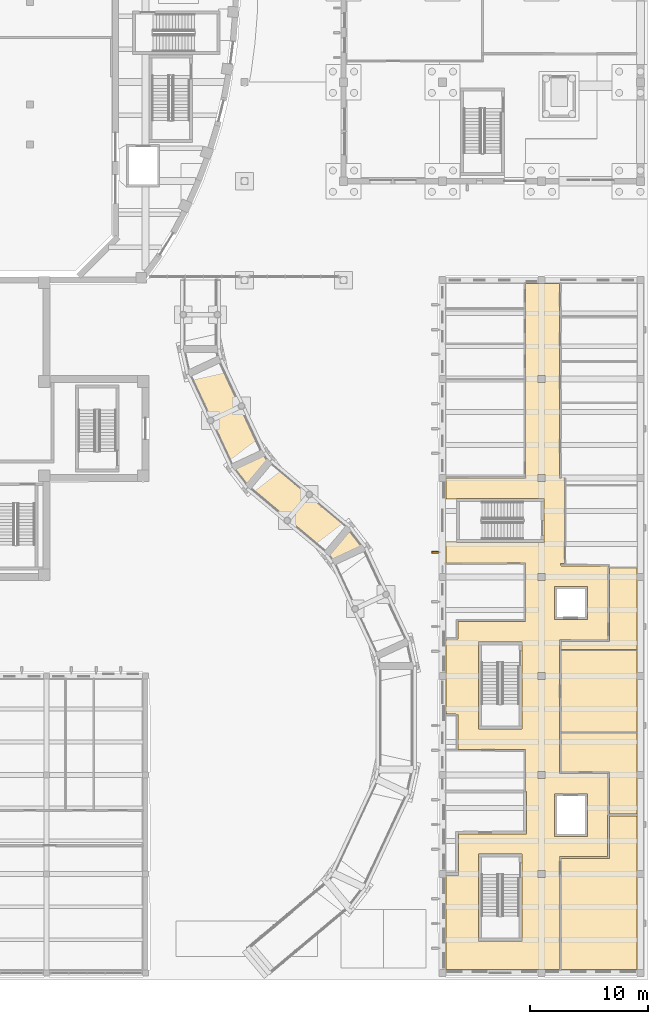
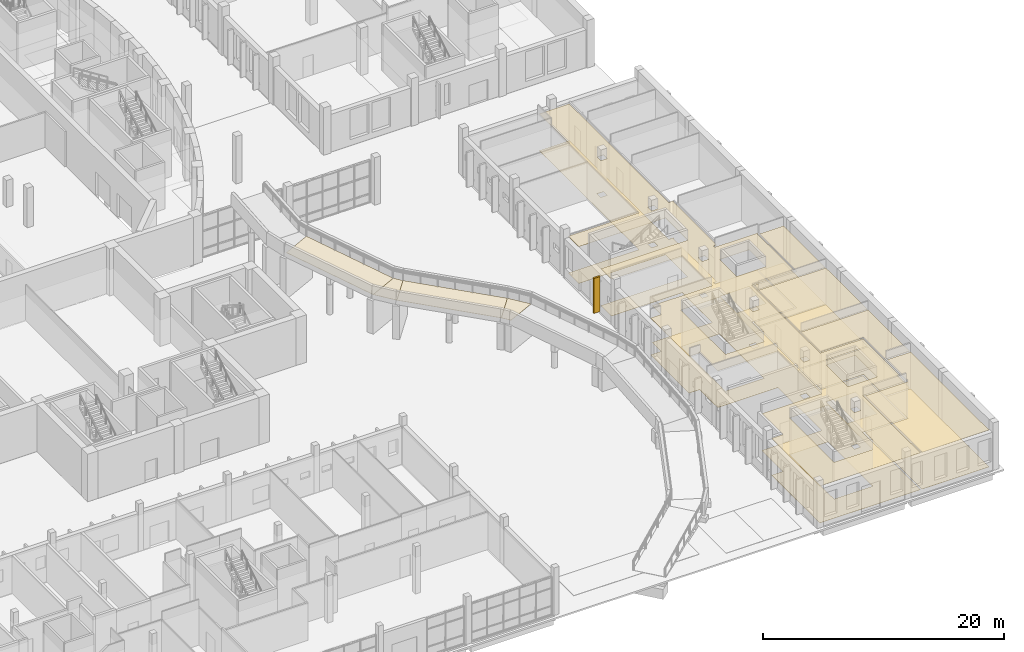
# One storey, part 90 of 110: 15 coverings.
"""IFC4 building model written with IfcOpenShell, lengths in metres."""

from ifc_helpers import new_model, si_unit, direction, frame, origin, place, context, subcontext, project, spatial, polyline, outline, extrude, material, layer, layer_set, type_object, element, save


model = new_model("IFC4")

# Units and contexts
model_context = context("Model", 3, precision=1e-05, world=origin(), true_north=direction((0.0, 1.0)))
body_context = subcontext(model_context, "Body", "Model", "MODEL_VIEW")
ifc_project = project(units=[si_unit("LENGTHUNIT", "METRE"), si_unit("AREAUNIT", "SQUARE_METRE"), si_unit("VOLUMEUNIT", "CUBIC_METRE"), si_unit("PLANEANGLEUNIT", "RADIAN"), si_unit("MASSUNIT", "GRAM", prefix="KILO")], contexts=[model_context])

# Site, building, storey
site_placement = place(None, origin())
site = spatial("IfcSite", under=ifc_project, at=site_placement, CompositionType="ELEMENT")
building_placement = place(site_placement, origin())
building = spatial("IfcBuilding", under=site, at=building_placement, Name="Larchfold Concert Hall", CompositionType="ELEMENT")
storey_placement = place(building_placement, origin())
storey = spatial("IfcBuildingStorey", under=building, at=storey_placement, Name="L00", CompositionType="ELEMENT", Elevation=0.0)

# Coverings
ifc_material_1 = material(Name="Mineral fibre ceiling tile")
ifc_layer_1 = layer(ifc_material_1, 0.02001953125)
ifc_layer_set_1 = layer_set([ifc_layer_1], Name="Mineral fibre ceiling tile")
covering_type_1 = type_object("IfcCoveringType", Name="Ceiling mineral fibre tile 20", PredefinedType="CEILING", material=ifc_layer_set_1)
covering_1_placement = place(storey_placement, frame((0.0, 0.0, 3.719970703125)))
element("IfcCovering", 1, at=covering_1_placement, inside=storey, type_object=covering_type_1, Name="Ceiling Escape Corridor 03", PredefinedType="CEILING", context=body_context, shape_type="SweptSolid", body=[
    extrude(outline(polyline([(84.900146484375, 22.529052734375), (84.900390625, 22.5625), (85.9140625, 22.553955078125), (85.91357421875, 19.5634765625), (85.850830078125, 19.5634765625), (91.661376953125, 19.5595703125), (91.66259765625, 15.97998046875), (91.72509765625, 15.97998046875), (91.726318359375, 12.38427734375), (85.976318359375, 12.374267578125), (85.97607421875, 12.499267578125), (85.975830078125, 8.8818359375), (84.9208984375, 8.875244140625), (84.920166015625, 9.000244140625), (84.900146484375, 9.0), (84.900146484375, 0.900146484375), (94.525146484375, 0.900146484375), (94.52490234375, 10.4697265625), (98.6240234375, 10.475830078125), (98.6240234375, 14.02001953125), (98.636474609375, 14.02001953125), (98.636474609375, 17.53662109375), (98.661376953125, 17.53662109375), (94.53662109375, 17.54638671875), (94.53662109375, 28.85546875), (98.636474609375, 28.86328125), (98.636474609375, 35.02001953125), (98.698974609375, 35.02001953125), (98.698974609375, 35.13671875), (94.661376953125, 35.145263671875), (94.66162109375, 35.207275390625), (94.599365234375, 35.20751953125), (94.607177734375, 35.3505859375), (94.9365234375, 35.350830078125), (94.9365234375, 42.58642578125), (94.9990234375, 42.58642578125), (94.9990234375, 42.649169921875), (94.66162109375, 42.65771484375), (94.66162109375, 42.596435546875), (94.53662109375, 42.596435546875), (94.53759765625, 59.099853515625), (91.66259765625, 59.099853515625), (91.66259765625, 42.592529296875), (84.920166015625, 42.58642578125), (84.920166015625, 42.649169921875), (84.900146484375, 42.649169921875), (84.900146484375, 40.840087890625), (85.800048828125, 40.841064453125), (85.800048828125, 40.85009765625), (93.199951171875, 40.85009765625), (93.199951171875, 37.14990234375), (85.800048828125, 37.14990234375), (85.800048828125, 37.159912109375), (84.900146484375, 37.159912109375), (84.900146484375, 35.41357421875), (91.66357421875, 35.404541015625), (91.659423828125, 30.4384765625), (85.91357421875, 30.4365234375), (85.91357421875, 30.4990234375), (85.911865234375, 28.94287109375), (84.900146484375, 28.9375), (84.900146484375, 22.529052734375)]), holes=[polyline([(96.89990234375, 12.199951171875), (94.10009765625, 12.199951171875), (94.10009765625, 15.800048828125), (96.89990234375, 15.800048828125), (96.89990234375, 12.199951171875)]), polyline([(96.89990234375, 30.60009765625), (94.10009765625, 30.60009765625), (94.10009765625, 33.39990234375), (96.89990234375, 33.39990234375), (96.89990234375, 30.60009765625)]), polyline([(92.699951171875, 50.699951171875), (92.699951171875, 51.300048828125), (93.300048828125, 51.300048828125), (93.300048828125, 50.699951171875), (92.699951171875, 50.699951171875)]), polyline([(93.300048828125, 8.699951171875), (92.699951171875, 8.699951171875), (92.699951171875, 9.300048828125), (93.300048828125, 9.300048828125), (93.300048828125, 8.699951171875)]), polyline([(93.300048828125, 17.099853515625), (92.699951171875, 17.099853515625), (92.699951171875, 17.699951171875), (93.300048828125, 17.699951171875), (93.300048828125, 17.099853515625)]), polyline([(93.300048828125, 26.10009765625), (93.300048828125, 25.5), (92.699951171875, 25.5), (92.699951171875, 26.10009765625), (93.300048828125, 26.10009765625)]), polyline([(93.300048828125, 34.5), (93.300048828125, 33.89990234375), (92.699951171875, 33.89990234375), (92.699951171875, 34.5), (93.300048828125, 34.5)]), polyline([(93.300048828125, 42.900146484375), (93.300048828125, 42.300048828125), (92.699951171875, 42.300048828125), (92.699951171875, 42.900146484375), (93.300048828125, 42.900146484375)]), polyline([(91.35009765625, 3.300048828125), (87.64990234375, 3.300048828125), (87.64990234375, 10.699951171875), (91.35009765625, 10.699951171875), (91.35009765625, 3.300048828125)]), polyline([(91.35009765625, 21.303955078125), (87.64990234375, 21.300048828125), (87.64990234375, 28.699951171875), (91.35009765625, 28.699951171875), (91.35009765625, 21.303955078125)])]), origin(), (0.0, 0.0, 1.0), 0.02001953125),
])
covering_2_placement = place(storey_placement, frame((0.0, 0.0, 3.719970703125)))
element("IfcCovering", 2, at=covering_2_placement, inside=storey, type_object=covering_type_1, Name="Ceiling Instrument Room", PredefinedType="CEILING", context=body_context, shape_type="SweptSolid", body=[
    extrude(outline(polyline([(101.099853515625, 0.900146484375), (101.099853515625, 13.925048828125), (98.77490234375, 13.925048828125), (98.77392578125, 14.0), (98.77392578125, 10.325927734375), (94.675048828125, 10.320068359375), (94.675048828125, 0.900146484375), (101.099853515625, 0.900146484375)])), origin(), (0.0, 0.0, 1.0), 0.02001953125),
])
ifc_material_2 = material(Name="Plasterboard ceiling lining")
ifc_layer_2 = layer(ifc_material_2, 0.030029296875)
ifc_layer_set_2 = layer_set([ifc_layer_2], Name="Plasterboard ceiling lining")
covering_type_2 = type_object("IfcCoveringType", Name="Ceiling suspended plasterboard 30", PredefinedType="CEILING", material=ifc_layer_set_2)
covering_3_placement = place(storey_placement, frame((0.0, 0.0, 3.7099609375)))
element("IfcCovering", 3, at=covering_3_placement, inside=storey, type_object=covering_type_2, Name="Ceiling Dressing Room 07", PredefinedType="CEILING", context=body_context, shape_type="SweptSolid", body=[
    extrude(outline(polyline([(94.66162109375, 17.60888671875), (94.661865234375, 17.67138671875), (98.76171875, 17.661376953125), (98.761474609375, 14.02001953125), (98.77392578125, 14.02001953125), (98.77392578125, 14.0), (98.77490234375, 14.074951171875), (101.099853515625, 14.074951171875), (101.099853515625, 20.949951171875), (94.6650390625, 20.949951171875), (94.66162109375, 21.0), (94.66162109375, 17.60888671875)])), origin(), (0.0, 0.0, 1.0), 0.030029296875),
])
covering_4_placement = place(storey_placement, frame((0.0, 0.0, 3.7099609375)))
element("IfcCovering", 4, at=covering_4_placement, inside=storey, type_object=covering_type_2, Name="Ceiling Dressing Room 08", PredefinedType="CEILING", context=body_context, shape_type="SweptSolid", body=[
    extrude(outline(polyline([(94.66162109375, 21.0), (94.6650390625, 21.050048828125), (101.099853515625, 21.050048828125), (101.099853515625, 27.949951171875), (94.6650390625, 27.949951171875), (94.6650390625, 28.0), (94.66162109375, 21.0)])), origin(), (0.0, 0.0, 1.0), 0.030029296875),
])
covering_5_placement = place(storey_placement, frame((0.0, 0.0, 3.7099609375)))
element("IfcCovering", 5, at=covering_5_placement, inside=storey, type_object=covering_type_2, Name="Ceiling Dressing Room 09", PredefinedType="CEILING", context=body_context, shape_type="SweptSolid", body=[
    extrude(outline(polyline([(94.66162109375, 28.0), (94.6650390625, 28.050048828125), (101.099853515625, 28.050048828125), (101.099853515625, 34.949951171875), (98.764892578125, 34.949951171875), (98.761474609375, 35.0), (98.761474609375, 28.738525390625), (94.66162109375, 28.730712890625), (94.66162109375, 28.0)])), origin(), (0.0, 0.0, 1.0), 0.030029296875),
])
ifc_material_3 = material(Name="Linoleum sheet")
ifc_layer_3 = layer(ifc_material_3, 0.02001953125)
ifc_layer_set_3 = layer_set([ifc_layer_3], Name="Linoleum sheet")
covering_type_3 = type_object("IfcCoveringType", Name="Floor finish vinyl 20", PredefinedType="FLOORING", material=ifc_layer_set_3)
covering_6_placement = place(storey_placement, origin())
element("IfcCovering", 6, at=covering_6_placement, inside=storey, type_object=covering_type_3, Name="Floor finish Escape Corridor 03", PredefinedType="FLOORING", context=body_context, shape_type="SweptSolid", body=[
    extrude(outline(polyline([(84.900146484375, 22.529052734375), (84.900390625, 22.5625), (85.9140625, 22.553955078125), (85.91357421875, 19.5634765625), (85.850830078125, 19.5634765625), (91.661376953125, 19.5595703125), (91.66259765625, 15.97998046875), (91.72509765625, 15.97998046875), (91.726318359375, 12.38427734375), (85.976318359375, 12.374267578125), (85.97607421875, 12.499267578125), (85.975830078125, 8.8818359375), (84.9208984375, 8.875244140625), (84.920166015625, 9.000244140625), (84.900146484375, 9.0), (84.900146484375, 0.900146484375), (94.525146484375, 0.900146484375), (94.52490234375, 10.4697265625), (98.6240234375, 10.475830078125), (98.6240234375, 14.02001953125), (98.636474609375, 14.02001953125), (98.636474609375, 17.53662109375), (98.661376953125, 17.53662109375), (94.53662109375, 17.54638671875), (94.53662109375, 28.85546875), (98.636474609375, 28.86328125), (98.636474609375, 35.02001953125), (98.698974609375, 35.02001953125), (98.698974609375, 35.13671875), (94.661376953125, 35.145263671875), (94.66162109375, 35.207275390625), (94.599365234375, 35.20751953125), (94.607177734375, 35.3505859375), (94.9365234375, 35.350830078125), (94.9365234375, 42.58642578125), (94.9990234375, 42.58642578125), (94.9990234375, 42.649169921875), (94.66162109375, 42.65771484375), (94.66162109375, 42.596435546875), (94.53662109375, 42.596435546875), (94.53759765625, 59.099853515625), (91.66259765625, 59.099853515625), (91.66259765625, 42.592529296875), (84.920166015625, 42.58642578125), (84.920166015625, 42.649169921875), (84.900146484375, 42.649169921875), (84.900146484375, 40.840087890625), (85.800048828125, 40.841064453125), (85.800048828125, 40.85009765625), (93.199951171875, 40.85009765625), (93.199951171875, 37.14990234375), (85.800048828125, 37.14990234375), (85.800048828125, 37.159912109375), (84.900146484375, 37.159912109375), (84.900146484375, 35.41357421875), (91.66357421875, 35.404541015625), (91.659423828125, 30.4384765625), (85.91357421875, 30.4365234375), (85.91357421875, 30.4990234375), (85.911865234375, 28.94287109375), (84.900146484375, 28.9375), (84.900146484375, 22.529052734375)]), holes=[polyline([(96.89990234375, 12.199951171875), (94.10009765625, 12.199951171875), (94.10009765625, 15.800048828125), (96.89990234375, 15.800048828125), (96.89990234375, 12.199951171875)]), polyline([(96.89990234375, 30.60009765625), (94.10009765625, 30.60009765625), (94.10009765625, 33.39990234375), (96.89990234375, 33.39990234375), (96.89990234375, 30.60009765625)]), polyline([(92.699951171875, 50.699951171875), (92.699951171875, 51.300048828125), (93.300048828125, 51.300048828125), (93.300048828125, 50.699951171875), (92.699951171875, 50.699951171875)]), polyline([(93.300048828125, 8.699951171875), (92.699951171875, 8.699951171875), (92.699951171875, 9.300048828125), (93.300048828125, 9.300048828125), (93.300048828125, 8.699951171875)]), polyline([(93.300048828125, 17.099853515625), (92.699951171875, 17.099853515625), (92.699951171875, 17.699951171875), (93.300048828125, 17.699951171875), (93.300048828125, 17.099853515625)]), polyline([(93.300048828125, 26.10009765625), (93.300048828125, 25.5), (92.699951171875, 25.5), (92.699951171875, 26.10009765625), (93.300048828125, 26.10009765625)]), polyline([(93.300048828125, 34.5), (93.300048828125, 33.89990234375), (92.699951171875, 33.89990234375), (92.699951171875, 34.5), (93.300048828125, 34.5)]), polyline([(93.300048828125, 42.900146484375), (93.300048828125, 42.300048828125), (92.699951171875, 42.300048828125), (92.699951171875, 42.900146484375), (93.300048828125, 42.900146484375)]), polyline([(91.35009765625, 3.300048828125), (87.64990234375, 3.300048828125), (87.64990234375, 10.699951171875), (91.35009765625, 10.699951171875), (91.35009765625, 3.300048828125)]), polyline([(91.35009765625, 21.303955078125), (87.64990234375, 21.300048828125), (87.64990234375, 28.699951171875), (91.35009765625, 28.699951171875), (91.35009765625, 21.303955078125)])]), origin(), (0.0, 0.0, 1.0), 0.02001953125),
])
covering_7_placement = place(storey_placement, origin())
element("IfcCovering", 7, at=covering_7_placement, inside=storey, type_object=covering_type_3, Name="Floor finish Instrument Room", PredefinedType="FLOORING", context=body_context, shape_type="SweptSolid", body=[
    extrude(outline(polyline([(101.099853515625, 0.900146484375), (101.099853515625, 13.925048828125), (98.77490234375, 13.925048828125), (98.77392578125, 14.0), (98.77392578125, 10.325927734375), (94.675048828125, 10.320068359375), (94.675048828125, 0.900146484375), (101.099853515625, 0.900146484375)])), origin(), (0.0, 0.0, 1.0), 0.02001953125),
])
covering_8_placement = place(storey_placement, origin())
element("IfcCovering", 8, at=covering_8_placement, inside=storey, type_object=covering_type_3, Name="Floor finish Dressing Room 07", PredefinedType="FLOORING", context=body_context, shape_type="SweptSolid", body=[
    extrude(outline(polyline([(94.66162109375, 17.60888671875), (94.661865234375, 17.67138671875), (98.76171875, 17.661376953125), (98.761474609375, 14.02001953125), (98.77392578125, 14.02001953125), (98.77392578125, 14.0), (98.77490234375, 14.074951171875), (101.099853515625, 14.074951171875), (101.099853515625, 20.949951171875), (94.6650390625, 20.949951171875), (94.66162109375, 21.0), (94.66162109375, 17.60888671875)])), origin(), (0.0, 0.0, 1.0), 0.02001953125),
])
covering_9_placement = place(storey_placement, origin())
element("IfcCovering", 9, at=covering_9_placement, inside=storey, type_object=covering_type_3, Name="Floor finish Dressing Room 08", PredefinedType="FLOORING", context=body_context, shape_type="SweptSolid", body=[
    extrude(outline(polyline([(94.66162109375, 21.0), (94.6650390625, 21.050048828125), (101.099853515625, 21.050048828125), (101.099853515625, 27.949951171875), (94.6650390625, 27.949951171875), (94.6650390625, 28.0), (94.66162109375, 21.0)])), origin(), (0.0, 0.0, 1.0), 0.02001953125),
])
covering_10_placement = place(storey_placement, origin())
element("IfcCovering", 10, at=covering_10_placement, inside=storey, type_object=covering_type_3, Name="Floor finish Dressing Room 09", PredefinedType="FLOORING", context=body_context, shape_type="SweptSolid", body=[
    extrude(outline(polyline([(94.66162109375, 28.0), (94.6650390625, 28.050048828125), (101.099853515625, 28.050048828125), (101.099853515625, 34.949951171875), (98.764892578125, 34.949951171875), (98.761474609375, 35.0), (98.761474609375, 28.738525390625), (94.66162109375, 28.730712890625), (94.66162109375, 28.0)])), origin(), (0.0, 0.0, 1.0), 0.02001953125),
])
ifc_material_4 = material(Name="Glulam GL30c", Category="wood")
ifc_layer_4 = layer(ifc_material_4, 0.159912109375)
ifc_layer_set_4 = layer_set([ifc_layer_4], Name="Glulam GL30c")
covering_type_4 = type_object("IfcCoveringType", Name="Glulam fin 160x600", PredefinedType="CLADDING", material=ifc_layer_set_4)
covering_11_placement = place(storey_placement, frame((0.0, 0.0, 0.199951171875)))
element("IfcCovering", 11, at=covering_11_placement, inside=storey, type_object=covering_type_4, Name="Glulam fin FN-L00-040", PredefinedType="CLADDING", context=body_context, shape_type="SweptSolid", body=[
    extrude(outline(polyline([(84.275146484375, 36.219970703125), (84.275146484375, 36.3798828125), (83.675048828125, 36.3798828125), (83.675048828125, 36.219970703125), (84.275146484375, 36.219970703125)])), origin(), (0.0, 0.0, 1.0), 3.5400390625),
])
ifc_material_5 = material(Name="Non-slip broom-finished concrete topping", Category="concrete")
ifc_layer_5 = layer(ifc_material_5, 0.030029296875)
ifc_layer_set_5 = layer_set([ifc_layer_5], Name="Non-slip broom-finished concrete topping")
covering_type_5 = type_object("IfcCoveringType", Name="Ramp surface non-slip 30", PredefinedType="FLOORING", material=ifc_layer_set_5)
covering_12_placement = place(storey_placement, frame((75.327880859375, 35.479248046875, 2.909912109375), z_axis=(0.0, 0.0, 1.0), x_axis=(-0.608695898449, 0.793403619358, 0.0)))
element("IfcCovering", 12, at=covering_12_placement, inside=storey, type_object=covering_type_5, Name="Ramp surface RL04", PredefinedType="FLOORING", context=body_context, shape_type="SweptSolid", body=[
    extrude(outline(polyline([(0.0, 0.0), (0.8723664160176452, -5.551115123125783e-17), (1.5002439423553442, -2.8310938998515756), (-0.6275229183419027, -2.8314054629461483), (0.0, 0.0)])), origin(), (0.0, 0.0, -1.0), 0.030029296875),
])
covering_13_placement = place(storey_placement, frame((74.796875, 36.17138671875, 2.909912109375), z_axis=(0.062598197113, -0.052527454193, 0.996655573543), x_axis=(-0.763486065215, 0.640633561796, 0.081716997764)))
element("IfcCovering", 13, at=covering_13_placement, inside=storey, type_object=covering_type_5, Name="Ramp surface RF05", PredefinedType="FLOORING", context=body_context, shape_type="SweptSolid", body=[
    extrude(outline(polyline([(0.0, 0.0), (8.813525502076946, -2.459580390919147e-16), (8.813473211638426, -2.9002272018900683), (-5.229043851917581e-05, -2.9002272018900683), (0.0, 0.0)])), origin(), (0.0, 0.0, -1.0), 0.030029296875),
])
covering_14_placement = place(storey_placement, frame((68.06787109375, 41.817626953125, 3.630126953125), z_axis=(0.0, 0.0, 1.0), x_axis=(-0.608739848715, 0.793369898967, 0.0)))
element("IfcCovering", 14, at=covering_14_placement, inside=storey, type_object=covering_type_5, Name="Ramp surface RL05", PredefinedType="FLOORING", context=body_context, shape_type="SweptSolid", body=[
    extrude(outline(polyline([(0.0, 0.0), (2.127618256564666, 0.0), (1.4999384913164637, -2.831370696490234), (0.6277657704603194, -2.8314709892131593), (0.0, 0.0)])), origin(), (0.0, 0.0, -1.0), 0.030029296875),
])
covering_15_placement = place(storey_placement, frame((66.772705078125, 43.505615234375, 3.630126953125), z_axis=(0.034522188385, -0.074037027918, 0.996657783297), x_axis=(-0.421220339368, 0.903271920696, 0.081690042141)))
element("IfcCovering", 15, at=covering_15_placement, inside=storey, type_object=covering_type_5, Name="Ramp surface RF06", PredefinedType="FLOORING", context=body_context, shape_type="SweptSolid", body=[
    extrude(outline(polyline([(0.0, 0.0), (8.81344511834873, -7.806340345190357e-17), (8.813339373295213, -2.9001106698647923), (-0.0001057450535171256, -2.900110669864792), (0.0, 0.0)])), origin(), (0.0, 0.0, -1.0), 0.030029296875),
])

save(model, "model.ifc")
